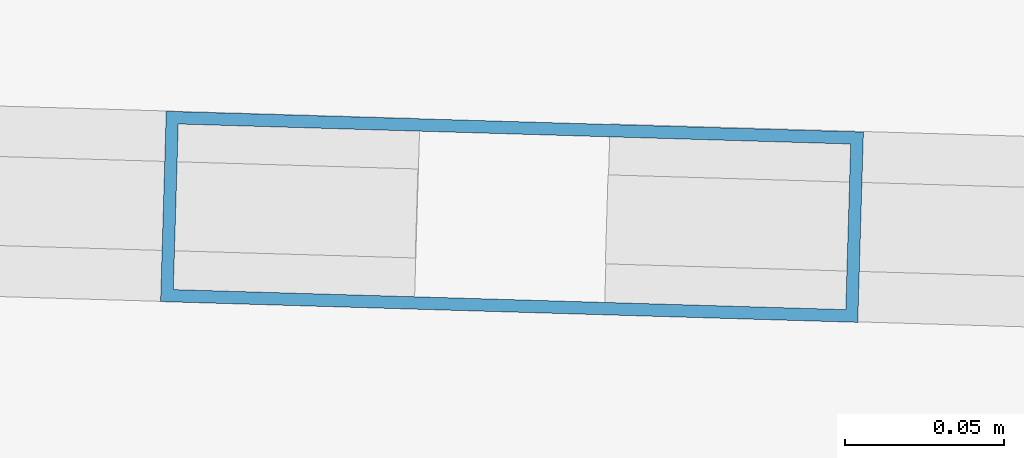
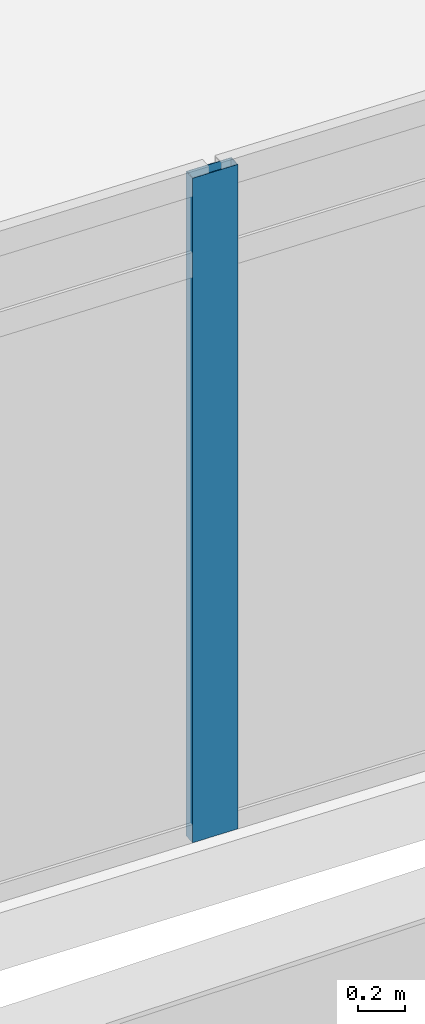
# One storey, part 5 of 28: 1 member, 1 element without a shape of its own.
"""IFC4 building model written with IfcOpenShell, lengths in metres."""

from ifc_helpers import new_model, si_unit, direction, frame, origin, origin_2d, place, context, subcontext, project, spatial, hollow_rectangle, extrude, material, material_profile, profile_set, type_object, element, aggregate, save


model = new_model("IFC4")

# Units and contexts
model_context = context("Model", 3, precision=1e-05, world=origin(), true_north=direction((0.0, 1.0)))
body_context = subcontext(model_context, "Body", "Model", "MODEL_VIEW")
ifc_project = project(units=[si_unit("LENGTHUNIT", "METRE"), si_unit("AREAUNIT", "SQUARE_METRE"), si_unit("VOLUMEUNIT", "CUBIC_METRE"), si_unit("PLANEANGLEUNIT", "RADIAN"), si_unit("MASSUNIT", "GRAM", prefix="KILO")], contexts=[model_context])

# Site, building, storey
site_placement = place(None, origin())
site = spatial("IfcSite", under=ifc_project, at=site_placement, CompositionType="ELEMENT")
building_placement = place(site_placement, origin())
building = spatial("IfcBuilding", under=site, at=building_placement, Name="Ostrander Bayou Hotel Tower", CompositionType="ELEMENT")
storey_placement = place(building_placement, frame((0.0, 0.0, 104.25)))
storey = spatial("IfcBuildingStorey", under=building, at=storey_placement, Name="L26", CompositionType="ELEMENT", Elevation=104.25)

# Curtain wall, member
ifc_material_1 = material(Name="Aluminium and clear glass", Category="aluminium")
curtain_wall_type = type_object("IfcCurtainWallType", Name="CW-BAR glazed wall", PredefinedType="NOTDEFINED", material=ifc_material_1)
curtain_wall_placement = place(storey_placement, origin())
curtain_wall = element("IfcCurtainWall", 1, at=curtain_wall_placement, inside=storey, type_object=curtain_wall_type, Name="CW-BAR L26:SB2S:T", PredefinedType="NOTDEFINED")
ifc_material_2 = material(Name="Aluminium", Category="aluminium")
ifc_material_profile = material_profile(ifc_material_2, hollow_rectangle(XDim=0.06005859375, YDim=0.219970703125, WallThickness=0.00390625, at=origin_2d()))
ifc_profile_set = profile_set([ifc_material_profile], Name="Aluminium")
member_type = type_object("IfcMemberType", Name="CW-BR mullion 60 x 220 mm", PredefinedType="MULLION", material=ifc_profile_set)
member_placement = place(storey_placement, frame((1.0283203125, -31.730712890625, 0.0), z_axis=(0.0, 0.0, 1.0), x_axis=(0.029746242041, 0.999557482631, 0.0)))
member = element("IfcMember", 2, at=member_placement, type_object=member_type, Name="CW-BAR mullion 8", PredefinedType="MULLION", context=body_context, shape_type="SweptSolid", body=[
    extrude(hollow_rectangle(XDim=0.06005859375, YDim=0.219970703125, WallThickness=0.00390625, at=origin_2d()), origin(), (0.0, 0.0, 1.0), 3.449951171875),
])
aggregate(curtain_wall, [member])

save(model, "model.ifc")
